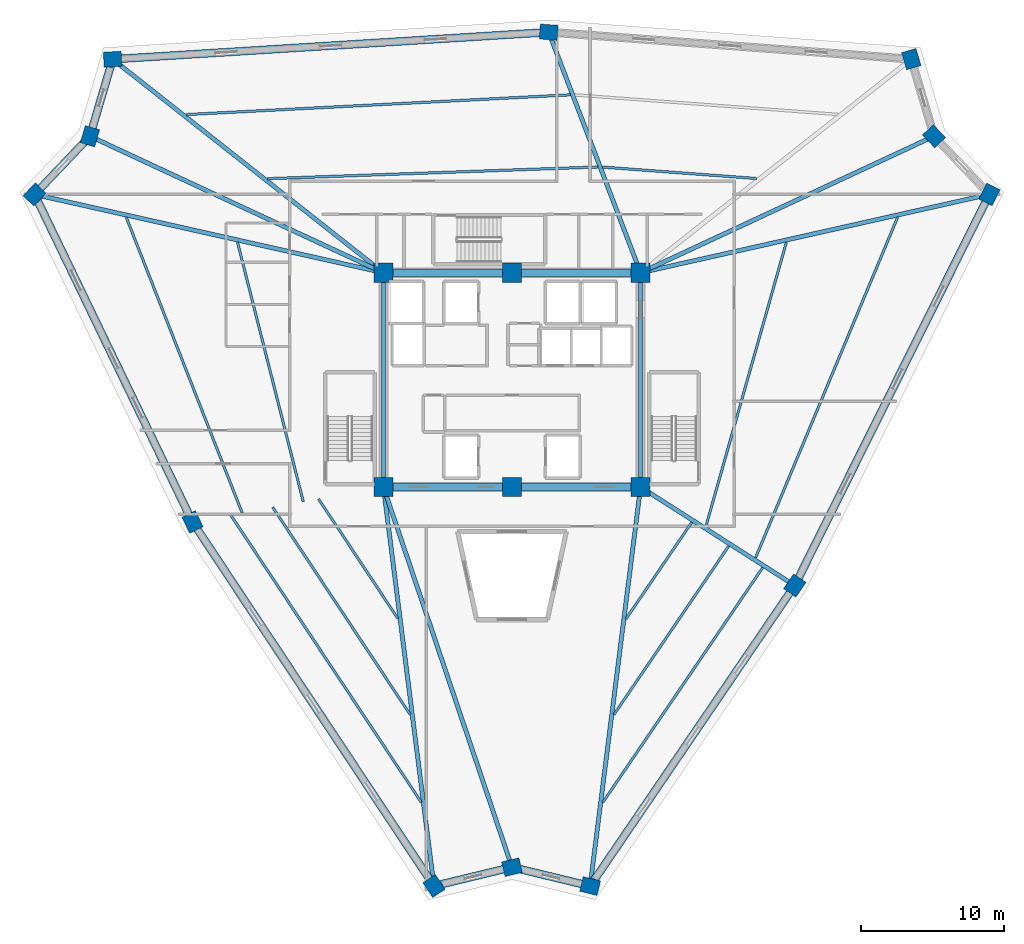
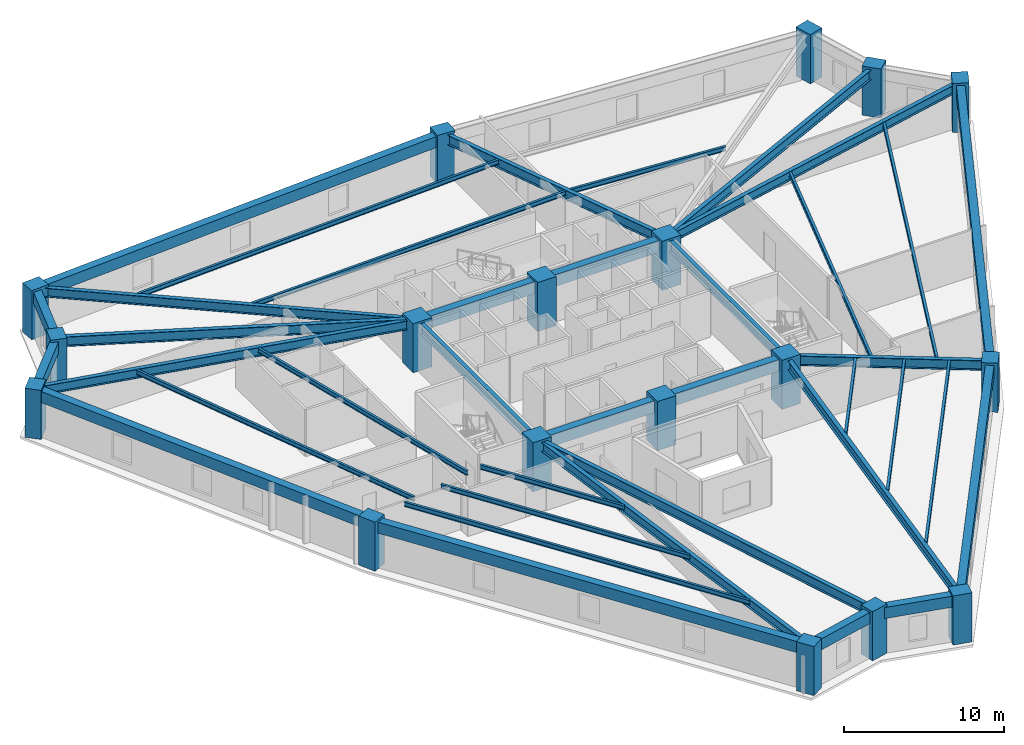
# One storey, part 1 of 8: 38 beams, 18 columns.
"""IFC4 building model written with IfcOpenShell, lengths in metres."""

from ifc_helpers import new_model, si_unit, direction, frame, origin, origin_2d, place, context, subcontext, project, spatial, rectangle, i_section, extrude, source, transform, mapped, material, material_profile, profile_set, type_object, element, save


model = new_model("IFC4")

# Units and contexts
model_context = context("Model", 3, precision=1e-05, world=origin(), true_north=direction((0.0, 1.0)))
body_context = subcontext(model_context, "Body", "Model", "MODEL_VIEW")
ifc_project = project(units=[si_unit("LENGTHUNIT", "METRE"), si_unit("AREAUNIT", "SQUARE_METRE"), si_unit("VOLUMEUNIT", "CUBIC_METRE"), si_unit("PLANEANGLEUNIT", "RADIAN"), si_unit("MASSUNIT", "GRAM", prefix="KILO")], contexts=[model_context])

# Site, building, storey
site_placement = place(None, origin())
site = spatial("IfcSite", under=ifc_project, at=site_placement, CompositionType="ELEMENT")
building_placement = place(site_placement, origin())
building = spatial("IfcBuilding", under=site, at=building_placement, Name="Liaohun Quay Tower", CompositionType="ELEMENT")
storey_placement = place(building_placement, frame((0.0, 0.0, 213.0)))
storey = spatial("IfcBuildingStorey", under=building, at=storey_placement, Name="L55", CompositionType="ELEMENT", Elevation=213.0)

# Columns
ifc_material_1 = material(Name="Concrete C55", Category="concrete")
ifc_material_profile_1 = material_profile(ifc_material_1, rectangle(XDim=1.35009765625, YDim=1.35009765625, at=origin_2d()), Name="RC1350x1350")
ifc_profile_set_1 = profile_set([ifc_material_profile_1], Name="Concrete C55")
column_type_1 = type_object("IfcColumnType", Name="COL-CC-Z3", PredefinedType="COLUMN", material=ifc_profile_set_1)
shared_shape_1 = source(origin(), body_context, "Body", "SweptSolid", [
    extrude(rectangle(XDim=1.35009765625, YDim=1.35009765625, at=origin_2d()), origin(), (0.0, 0.0, 1.0), 3.75),
])
for number, where, z_axis, x_axis, name in (
    (1, (51.0, 46.5, 0.0), (0.0, 0.0, 1.0), (1.0, 0.0, 0.0), "L55 Core Column CC1"),
    (2, (60.0, 46.5, 0.0), (0.0, 0.0, 1.0), (1.0, 0.0, 0.0), "L55 Core Column CC2"),
    (3, (69.0, 46.5, 0.0), (0.0, 0.0, 1.0), (1.0, 0.0, 0.0), "L55 Core Column CC3"),
    (4, (69.0, 61.5, 0.0), (0.0, 0.0, 1.0), (1.0, 0.0, 0.0), "L55 Core Column CC4"),
    (5, (60.0, 61.5, 0.0), (0.0, 0.0, 1.0), (1.0, 0.0, 0.0), "L55 Core Column CC5"),
    (6, (51.0, 61.5, 0.0), (0.0, 0.0, 1.0), (1.0, 0.0, 0.0), "L55 Core Column CC6"),
):
    element("IfcColumn", number, at=place(storey_placement, frame(where, z_axis=z_axis, x_axis=x_axis)), inside=storey, type_object=column_type_1, Name=name, PredefinedType="COLUMN", context=body_context, shape_type="MappedRepresentation", body=[
        mapped(shared_shape_1, transform((0.0, 0.0, 0.0), x_axis=(1.0, 0.0, 0.0), y_axis=(0.0, 1.0, 0.0), z_axis=(0.0, 0.0, 1.0), scale=1.0)),
    ])
ifc_material_profile_2 = material_profile(ifc_material_1, rectangle(XDim=1.25, YDim=1.050048828125, at=origin_2d()), Name="RC1250x1050")
ifc_profile_set_2 = profile_set([ifc_material_profile_2], Name="Concrete C55")
column_type_2 = type_object("IfcColumnType", Name="COL-PIER-Z3", PredefinedType="COLUMN", material=ifc_profile_set_2)
shared_shape_2 = source(origin(), body_context, "Body", "SweptSolid", [
    extrude(rectangle(XDim=1.25, YDim=1.050048828125, at=origin_2d()), origin(), (0.0, 0.0, 1.0), 3.75),
])
for number, where, z_axis, x_axis, name in (
    (7, (54.5380859375, 18.570068359375, 0.0), (0.0, 0.0, 1.0), (-0.552664477717, 0.833403848725, 0.0), "L55 Perimeter Pier PC01"),
    (8, (37.635986328125, 44.053955078125, 0.0), (0.0, 0.0, 1.0), (-0.434445257404, 0.900698239323, 0.0), "L55 Perimeter Pier PC02"),
    (9, (26.5810546875, 66.97998046875, 0.0), (0.0, 0.0, 1.0), (0.68936671806, 0.724412539946, 0.0), "L55 Perimeter Pier PC03"),
    (10, (30.458984375, 71.054931640625, 0.0), (0.0, 0.0, 1.0), (0.282676303383, 0.959215360337, 0.0), "L55 Perimeter Pier PC04"),
    (11, (32.048095703125, 76.445068359375, 0.0), (0.0, 0.0, 1.0), (0.998081143466, 0.061919553109, 0.0), "L55 Perimeter Pier PC05"),
    (12, (62.569091796875, 78.340087890625, 0.0), (0.0, 0.0, 1.0), (-0.997250185099, 0.074108490195, 0.0), "L55 Perimeter Pier PC06"),
    (13, (87.949951171875, 76.451904296875, 0.0), (0.0, 0.0, 1.0), (-0.282676303383, 0.959215360337, 0.0), "L55 Perimeter Pier PC07"),
    (14, (89.541015625, 71.054931640625, 0.0), (0.0, 0.0, 1.0), (-0.68936671806, 0.724412539946, 0.0), "L55 Perimeter Pier PC08"),
    (15, (93.4140625, 66.985107421875, 0.0), (0.0, 0.0, 1.0), (0.445416665749, 0.895323401835, 0.0), "L55 Perimeter Pier PC09"),
    (16, (79.794921875, 39.60498046875, 0.0), (0.0, 0.0, 1.0), (0.562804927695, 0.826589749127, 0.0), "L55 Perimeter Pier PC10"),
    (17, (65.468994140625, 18.568115234375, 0.0), (0.0, 0.0, 1.0), (-0.972043021443, 0.234802820391, 0.0), "L55 Perimeter Pier PC11"),
    (18, (60.0, 19.888916015625, 0.0), (0.0, 0.0, 1.0), (0.972043021443, 0.234802820391, 0.0), "L55 Perimeter Pier PC12"),
):
    element("IfcColumn", number, at=place(storey_placement, frame(where, z_axis=z_axis, x_axis=x_axis)), inside=storey, type_object=column_type_2, Name=name, PredefinedType="COLUMN", context=body_context, shape_type="MappedRepresentation", body=[
        mapped(shared_shape_2, transform((0.0, 0.0, 0.0), x_axis=(1.0, 0.0, 0.0), y_axis=(0.0, 1.0, 0.0), z_axis=(0.0, 0.0, 1.0), scale=1.0)),
    ])

# Beams
ifc_material_2 = material(Name="Steel Q355D", Category="steel")
ifc_material_profile_3 = material_profile(ifc_material_2, i_section(OverallWidth=0.300048828125, OverallDepth=0.800048828125, WebThickness=0.013916015625, FlangeThickness=0.02587890625, at=origin_2d()), Name="HN800x300x14x26")
ifc_profile_set_3 = profile_set([ifc_material_profile_3], Name="Steel Q355D")
beam_type_1 = type_object("IfcBeamType", Name="BM-RAD-M1", PredefinedType="BEAM", material=ifc_profile_set_3)
shared_shape_3 = source(origin(), body_context, "Body", "SweptSolid", [
    extrude(i_section(OverallWidth=0.300048828125, OverallDepth=0.800048828125, WebThickness=0.013916015625, FlangeThickness=0.02587890625, at=origin_2d()), origin(), (0.0, 0.0, 1.0), 15.0),
])
for number, where, z_axis, x_axis, name in (
    (19, (69.0, 46.5, 3.169921875), (0.0, 1.0, 0.0), (-1.0, 0.0, 0.0), "L55 Core Coupling/Ring Beam CC3-CC4"),
    (20, (51.0, 61.5, 3.169921875), (0.0, -1.0, 0.0), (1.0, 0.0, 0.0), "L55 Core Coupling/Ring Beam CC6-CC1"),
):
    element("IfcBeam", number, at=place(storey_placement, frame(where, z_axis=z_axis, x_axis=x_axis)), inside=storey, type_object=beam_type_1, Name=name, PredefinedType="BEAM", context=body_context, shape_type="MappedRepresentation", body=[
        mapped(shared_shape_3, transform((0.0, 0.0, 0.0), x_axis=(1.0, 0.0, 0.0), y_axis=(0.0, 1.0, 0.0), z_axis=(0.0, 0.0, 1.0), scale=1.0)),
    ])
ifc_material_profile_4 = material_profile(ifc_material_1, rectangle(XDim=0.550048828125, YDim=0.89990234375, at=origin_2d()), Name="RC550x900")
ifc_profile_set_4 = profile_set([ifc_material_profile_4], Name="Concrete C55")
beam_type_2 = type_object("IfcBeamType", Name="BM-CPL-2", PredefinedType="LINTEL", material=ifc_profile_set_4)
shared_shape_4 = source(origin(), body_context, "Body", "SweptSolid", [
    extrude(rectangle(XDim=0.550048828125, YDim=0.89990234375, at=origin_2d()), origin(), (0.0, 0.0, 1.0), 9.0),
])
for number, where, z_axis, x_axis, name in (
    (21, (51.0, 46.5, 3.1201171875), (1.0, 0.0, 0.0), (0.0, 1.0, 0.0), "L55 Core Coupling/Ring Beam CC1-CC2"),
    (22, (60.0, 46.5, 3.1201171875), (1.0, 0.0, 0.0), (0.0, 1.0, 0.0), "L55 Core Coupling/Ring Beam CC2-CC3"),
    (23, (69.0, 61.5, 3.1201171875), (-1.0, 0.0, 0.0), (0.0, -1.0, 0.0), "L55 Core Coupling/Ring Beam CC4-CC5"),
    (24, (60.0, 61.5, 3.1201171875), (-1.0, 0.0, 0.0), (0.0, -1.0, 0.0), "L55 Core Coupling/Ring Beam CC5-CC6"),
):
    element("IfcBeam", number, at=place(storey_placement, frame(where, z_axis=z_axis, x_axis=x_axis)), inside=storey, type_object=beam_type_2, Name=name, PredefinedType="LINTEL", context=body_context, shape_type="MappedRepresentation", body=[
        mapped(shared_shape_4, transform((0.0, 0.0, 0.0), x_axis=(1.0, 0.0, 0.0), y_axis=(0.0, 1.0, 0.0), z_axis=(0.0, 0.0, 1.0), scale=1.0)),
    ])
ifc_material_profile_5 = material_profile(ifc_material_2, i_section(OverallWidth=0.300048828125, OverallDepth=0.699951171875, WebThickness=0.012939453125, FlangeThickness=0.02392578125, at=origin_2d()), Name="HN700x300x13x24")
ifc_profile_set_5 = profile_set([ifc_material_profile_5], Name="Steel Q355D")
beam_type_3 = type_object("IfcBeamType", Name="BM-RAD-U1", PredefinedType="BEAM", material=ifc_profile_set_5)
shared_shape_5 = source(origin(), body_context, "Body", "SweptSolid", [
    extrude(i_section(OverallWidth=0.300048828125, OverallDepth=0.699951171875, WebThickness=0.012939453125, FlangeThickness=0.02392578125, at=origin_2d()), origin(), (0.0, 0.0, 1.0), 28.153076171875),
])
beam_1_placement = place(storey_placement, frame((51.0, 46.5, 3.219970703125), z_axis=(0.125672883765, -0.992071734446, 0.0), x_axis=(0.992071734446, 0.125672883765, 0.0)))
element("IfcBeam", 25, at=beam_1_placement, inside=storey, type_object=beam_type_3, Name="L55 Radial Primary Girder CC1-PC01", PredefinedType="BEAM", context=body_context, shape_type="MappedRepresentation", body=[
    mapped(shared_shape_5, transform((0.0, 0.0, 0.0), x_axis=(1.0, 0.0, 0.0), y_axis=(0.0, 1.0, 0.0), z_axis=(0.0, 0.0, 1.0), scale=1.0)),
])
shared_shape_6 = source(origin(), body_context, "Body", "SweptSolid", [
    extrude(i_section(OverallWidth=0.300048828125, OverallDepth=0.699951171875, WebThickness=0.012939453125, FlangeThickness=0.02392578125, at=origin_2d()), origin(), (0.0, 0.0, 1.0), 25.0263671875),
])
beam_2_placement = place(storey_placement, frame((51.0, 61.5, 3.219970703125), z_axis=(-0.975731822628, 0.218968971113, 0.0), x_axis=(-0.218968971113, -0.975731822628, 0.0)))
element("IfcBeam", 26, at=beam_2_placement, inside=storey, type_object=beam_type_3, Name="L55 Radial Primary Girder CC6-PC03", PredefinedType="BEAM", context=body_context, shape_type="MappedRepresentation", body=[
    mapped(shared_shape_6, transform((0.0, 0.0, 0.0), x_axis=(1.0, 0.0, 0.0), y_axis=(0.0, 1.0, 0.0), z_axis=(0.0, 0.0, 1.0), scale=1.0)),
])
ifc_material_profile_6 = material_profile(ifc_material_2, i_section(OverallWidth=0.300048828125, OverallDepth=0.75, WebThickness=0.013916015625, FlangeThickness=0.02587890625, at=origin_2d()), Name="HN750x300x14x26")
ifc_profile_set_6 = profile_set([ifc_material_profile_6], Name="Steel Q355D")
beam_type_4 = type_object("IfcBeamType", Name="BM-RAD-M2", PredefinedType="BEAM", material=ifc_profile_set_6)
shared_shape_7 = source(origin(), body_context, "Body", "SweptSolid", [
    extrude(i_section(OverallWidth=0.300048828125, OverallDepth=0.75, WebThickness=0.013916015625, FlangeThickness=0.02587890625, at=origin_2d()), origin(), (0.0, 0.0, 1.0), 22.654541015625),
])
for number, where, z_axis, x_axis, name in (
    (27, (51.0, 61.5, 3.195068359375), (-0.906704723403, 0.421765983168, 0.0), (-0.421765983168, -0.906704723403, 0.0), "L55 Radial Primary Girder CC6-PC04"),
    (28, (69.0, 61.5, 3.195068359375), (0.906704723403, 0.421765983168, 0.0), (-0.421765983168, 0.906704723403, 0.0), "L55 Radial Primary Girder CC4-PC08"),
):
    element("IfcBeam", number, at=place(storey_placement, frame(where, z_axis=z_axis, x_axis=x_axis)), inside=storey, type_object=beam_type_4, Name=name, PredefinedType="BEAM", context=body_context, shape_type="MappedRepresentation", body=[
        mapped(shared_shape_7, transform((0.0, 0.0, 0.0), x_axis=(1.0, 0.0, 0.0), y_axis=(0.0, 1.0, 0.0), z_axis=(0.0, 0.0, 1.0), scale=1.0)),
    ])
shared_shape_8 = source(origin(), body_context, "Body", "SweptSolid", [
    extrude(i_section(OverallWidth=0.300048828125, OverallDepth=0.699951171875, WebThickness=0.012939453125, FlangeThickness=0.02392578125, at=origin_2d()), origin(), (0.0, 0.0, 1.0), 24.1357421875),
])
beam_3_placement = place(storey_placement, frame((51.0, 61.5, 3.219970703125), z_axis=(-0.785224427655, 0.619211271064, 0.0), x_axis=(-0.619211271064, -0.785224427655, 0.0)))
element("IfcBeam", 29, at=beam_3_placement, inside=storey, type_object=beam_type_3, Name="L55 Radial Primary Girder CC6-PC05", PredefinedType="BEAM", context=body_context, shape_type="MappedRepresentation", body=[
    mapped(shared_shape_8, transform((0.0, 0.0, 0.0), x_axis=(1.0, 0.0, 0.0), y_axis=(0.0, 1.0, 0.0), z_axis=(0.0, 0.0, 1.0), scale=1.0)),
])
shared_shape_9 = source(origin(), body_context, "Body", "SweptSolid", [
    extrude(i_section(OverallWidth=0.300048828125, OverallDepth=0.75, WebThickness=0.013916015625, FlangeThickness=0.02587890625, at=origin_2d()), origin(), (0.0, 0.0, 1.0), 18.026123046875),
])
beam_4_placement = place(storey_placement, frame((69.0, 61.5, 3.195068359375), z_axis=(-0.356752715154, 0.934198854758, 0.0), x_axis=(-0.934198854758, -0.356752715154, 0.0)))
element("IfcBeam", 30, at=beam_4_placement, inside=storey, type_object=beam_type_4, Name="L55 Radial Primary Girder CC4-PC06", PredefinedType="BEAM", context=body_context, shape_type="MappedRepresentation", body=[
    mapped(shared_shape_9, transform((0.0, 0.0, 0.0), x_axis=(1.0, 0.0, 0.0), y_axis=(0.0, 1.0, 0.0), z_axis=(0.0, 0.0, 1.0), scale=1.0)),
])
shared_shape_10 = source(origin(), body_context, "Body", "SweptSolid", [
    extrude(i_section(OverallWidth=0.300048828125, OverallDepth=0.699951171875, WebThickness=0.012939453125, FlangeThickness=0.02392578125, at=origin_2d()), origin(), (0.0, 0.0, 1.0), 25.022705078125),
])
beam_5_placement = place(storey_placement, frame((69.0, 61.5, 3.219970703125), z_axis=(0.975678661341, 0.219205724843, 0.0), x_axis=(-0.219205724843, 0.975678661341, 0.0)))
element("IfcBeam", 31, at=beam_5_placement, inside=storey, type_object=beam_type_3, Name="L55 Radial Primary Girder CC4-PC09", PredefinedType="BEAM", context=body_context, shape_type="MappedRepresentation", body=[
    mapped(shared_shape_10, transform((0.0, 0.0, 0.0), x_axis=(1.0, 0.0, 0.0), y_axis=(0.0, 1.0, 0.0), z_axis=(0.0, 0.0, 1.0), scale=1.0)),
])
shared_shape_11 = source(origin(), body_context, "Body", "SweptSolid", [
    extrude(i_section(OverallWidth=0.300048828125, OverallDepth=0.75, WebThickness=0.013916015625, FlangeThickness=0.02587890625, at=origin_2d()), origin(), (0.0, 0.0, 1.0), 12.80908203125),
])
beam_6_placement = place(storey_placement, frame((69.0, 46.5, 3.195068359375), z_axis=(0.842757747677, -0.538293023111, 0.0), x_axis=(0.538293023111, 0.842757747677, 0.0)))
element("IfcBeam", 32, at=beam_6_placement, inside=storey, type_object=beam_type_4, Name="L55 Radial Primary Girder CC3-PC10", PredefinedType="BEAM", context=body_context, shape_type="MappedRepresentation", body=[
    mapped(shared_shape_11, transform((0.0, 0.0, 0.0), x_axis=(1.0, 0.0, 0.0), y_axis=(0.0, 1.0, 0.0), z_axis=(0.0, 0.0, 1.0), scale=1.0)),
])
shared_shape_12 = source(origin(), body_context, "Body", "SweptSolid", [
    extrude(i_section(OverallWidth=0.300048828125, OverallDepth=0.699951171875, WebThickness=0.012939453125, FlangeThickness=0.02392578125, at=origin_2d()), origin(), (0.0, 0.0, 1.0), 28.154296875),
])
beam_7_placement = place(storey_placement, frame((69.0, 46.5, 3.219970703125), z_axis=(-0.125416727027, -0.992104150068, 0.0), x_axis=(0.992104150068, -0.125416727027, 0.0)))
element("IfcBeam", 33, at=beam_7_placement, inside=storey, type_object=beam_type_3, Name="L55 Radial Primary Girder CC3-PC11", PredefinedType="BEAM", context=body_context, shape_type="MappedRepresentation", body=[
    mapped(shared_shape_12, transform((0.0, 0.0, 0.0), x_axis=(1.0, 0.0, 0.0), y_axis=(0.0, 1.0, 0.0), z_axis=(0.0, 0.0, 1.0), scale=1.0)),
])
shared_shape_13 = source(origin(), body_context, "Body", "SweptSolid", [
    extrude(i_section(OverallWidth=0.300048828125, OverallDepth=0.75, WebThickness=0.013916015625, FlangeThickness=0.02587890625, at=origin_2d()), origin(), (0.0, 0.0, 1.0), 28.091796875),
])
beam_8_placement = place(storey_placement, frame((51.0, 46.5, 3.195068359375), z_axis=(0.320378074251, -0.947289760073, 0.0), x_axis=(0.947289760073, 0.320378074251, 0.0)))
element("IfcBeam", 34, at=beam_8_placement, inside=storey, type_object=beam_type_4, Name="L55 Radial Primary Girder CC1-PC12", PredefinedType="BEAM", context=body_context, shape_type="MappedRepresentation", body=[
    mapped(shared_shape_13, transform((0.0, 0.0, 0.0), x_axis=(1.0, 0.0, 0.0), y_axis=(0.0, 1.0, 0.0), z_axis=(0.0, 0.0, 1.0), scale=1.0)),
])
ifc_material_profile_7 = material_profile(ifc_material_2, i_section(OverallWidth=0.175048828125, OverallDepth=0.35009765625, WebThickness=0.007080078125, FlangeThickness=0.010986328125, at=origin_2d()), Name="HN350x175x7x11")
ifc_profile_set_7 = profile_set([ifc_material_profile_7], Name="Steel Q355D")
beam_type_5 = type_object("IfcBeamType", Name="BM-SEC-J3", PredefinedType="JOIST", material=ifc_profile_set_7)
shared_shape_14 = source(origin(), body_context, "Body", "SweptSolid", [
    extrude(i_section(OverallWidth=0.175048828125, OverallDepth=0.35009765625, WebThickness=0.007080078125, FlangeThickness=0.010986328125, at=origin_2d()), origin(), (0.0, 0.0, 1.0), 10.05859375),
])
beam_9_placement = place(storey_placement, frame((52.01611328125, 37.285888671875, 3.39501953125), z_axis=(-0.552771880767, 0.833332615367, 0.0), x_axis=(-0.833332615367, -0.552771880767, 0.0)))
element("IfcBeam", 35, at=beam_9_placement, inside=storey, type_object=beam_type_5, Name="L55 Wing Secondary Floor Joist SJ-01", PredefinedType="JOIST", context=body_context, shape_type="MappedRepresentation", body=[
    mapped(shared_shape_14, transform((0.0, 0.0, 0.0), x_axis=(1.0, 0.0, 0.0), y_axis=(0.0, 1.0, 0.0), z_axis=(0.0, 0.0, 1.0), scale=1.0)),
])
shared_shape_15 = source(origin(), body_context, "Body", "SweptSolid", [
    extrude(i_section(OverallWidth=0.175048828125, OverallDepth=0.35009765625, WebThickness=0.007080078125, FlangeThickness=0.010986328125, at=origin_2d()), origin(), (0.0, 0.0, 1.0), 17.39794921875),
])
beam_10_placement = place(storey_placement, frame((52.864990234375, 30.58203125, 3.39501953125), z_axis=(-0.55270703937, 0.833375622772, 0.0), x_axis=(-0.833375622772, -0.55270703937, 0.0)))
element("IfcBeam", 36, at=beam_10_placement, inside=storey, type_object=beam_type_5, Name="L55 Wing Secondary Floor Joist SJ-02", PredefinedType="JOIST", context=body_context, shape_type="MappedRepresentation", body=[
    mapped(shared_shape_15, transform((0.0, 0.0, 0.0), x_axis=(1.0, 0.0, 0.0), y_axis=(0.0, 1.0, 0.0), z_axis=(0.0, 0.0, 1.0), scale=1.0)),
])
shared_shape_16 = source(origin(), body_context, "Body", "SweptSolid", [
    extrude(i_section(OverallWidth=0.175048828125, OverallDepth=0.35009765625, WebThickness=0.007080078125, FlangeThickness=0.010986328125, at=origin_2d()), origin(), (0.0, 0.0, 1.0), 24.125244140625),
])
beam_11_placement = place(storey_placement, frame((53.64404296875, 24.43798828125, 3.39501953125), z_axis=(-0.552736993303, 0.833355756106, 0.0), x_axis=(-0.833355756106, -0.552736993303, 0.0)))
element("IfcBeam", 37, at=beam_11_placement, inside=storey, type_object=beam_type_5, Name="L55 Wing Secondary Floor Joist SJ-03", PredefinedType="JOIST", context=body_context, shape_type="MappedRepresentation", body=[
    mapped(shared_shape_16, transform((0.0, 0.0, 0.0), x_axis=(1.0, 0.0, 0.0), y_axis=(0.0, 1.0, 0.0), z_axis=(0.0, 0.0, 1.0), scale=1.0)),
])
shared_shape_17 = source(origin(), body_context, "Body", "SweptSolid", [
    extrude(i_section(OverallWidth=0.175048828125, OverallDepth=0.35009765625, WebThickness=0.007080078125, FlangeThickness=0.010986328125, at=origin_2d()), origin(), (0.0, 0.0, 1.0), 18.739990234375),
])
beam_12_placement = place(storey_placement, frame((45.386962890625, 45.472900390625, 3.39501953125), z_axis=(-0.245575291012, 0.969377520084, 0.0), x_axis=(-0.969377520084, -0.245575291012, 0.0)))
element("IfcBeam", 38, at=beam_12_placement, inside=storey, type_object=beam_type_5, Name="L55 Wing Secondary Floor Joist SJ-04", PredefinedType="JOIST", context=body_context, shape_type="MappedRepresentation", body=[
    mapped(shared_shape_17, transform((0.0, 0.0, 0.0), x_axis=(1.0, 0.0, 0.0), y_axis=(0.0, 1.0, 0.0), z_axis=(0.0, 0.0, 1.0), scale=1.0)),
])
shared_shape_18 = source(origin(), body_context, "Body", "SweptSolid", [
    extrude(i_section(OverallWidth=0.175048828125, OverallDepth=0.35009765625, WebThickness=0.007080078125, FlangeThickness=0.010986328125, at=origin_2d()), origin(), (0.0, 0.0, 1.0), 22.23095703125),
])
beam_13_placement = place(storey_placement, frame((41.111083984375, 44.68994140625, 3.39501953125), z_axis=(-0.365029485815, 0.930995958362, 0.0), x_axis=(-0.930995958362, -0.365029485815, 0.0)))
element("IfcBeam", 39, at=beam_13_placement, inside=storey, type_object=beam_type_5, Name="L55 Wing Secondary Floor Joist SJ-05", PredefinedType="JOIST", context=body_context, shape_type="MappedRepresentation", body=[
    mapped(shared_shape_18, transform((0.0, 0.0, 0.0), x_axis=(1.0, 0.0, 0.0), y_axis=(0.0, 1.0, 0.0), z_axis=(0.0, 0.0, 1.0), scale=1.0)),
])
shared_shape_19 = source(origin(), body_context, "Body", "SweptSolid", [
    extrude(i_section(OverallWidth=0.175048828125, OverallDepth=0.35009765625, WebThickness=0.007080078125, FlangeThickness=0.010986328125, at=origin_2d()), origin(), (0.0, 0.0, 1.0), 23.133544921875),
])
beam_14_placement = place(storey_placement, frame((42.89306640625, 68.083984375, 3.39501953125), z_axis=(0.999371469562, 0.035449482721, 0.0), x_axis=(-0.035449482721, 0.999371469562, 0.0)))
element("IfcBeam", 40, at=beam_14_placement, inside=storey, type_object=beam_type_5, Name="L55 Wing Secondary Floor Joist SJ-06", PredefinedType="JOIST", context=body_context, shape_type="MappedRepresentation", body=[
    mapped(shared_shape_19, transform((0.0, 0.0, 0.0), x_axis=(1.0, 0.0, 0.0), y_axis=(0.0, 1.0, 0.0), z_axis=(0.0, 0.0, 1.0), scale=1.0)),
])
shared_shape_20 = source(origin(), body_context, "Body", "SweptSolid", [
    extrude(i_section(OverallWidth=0.175048828125, OverallDepth=0.35009765625, WebThickness=0.007080078125, FlangeThickness=0.010986328125, at=origin_2d()), origin(), (0.0, 0.0, 1.0), 26.916748046875),
])
beam_15_placement = place(storey_placement, frame((37.202880859375, 72.571044921875, 3.39501953125), z_axis=(0.998679025152, 0.05138292246, 0.0), x_axis=(-0.05138292246, 0.998679025152, 0.0)))
element("IfcBeam", 41, at=beam_15_placement, inside=storey, type_object=beam_type_5, Name="L55 Wing Secondary Floor Joist SJ-07", PredefinedType="JOIST", context=body_context, shape_type="MappedRepresentation", body=[
    mapped(shared_shape_20, transform((0.0, 0.0, 0.0), x_axis=(1.0, 0.0, 0.0), y_axis=(0.0, 1.0, 0.0), z_axis=(0.0, 0.0, 1.0), scale=1.0)),
])
shared_shape_21 = source(origin(), body_context, "Body", "SweptSolid", [
    extrude(i_section(OverallWidth=0.175048828125, OverallDepth=0.35009765625, WebThickness=0.007080078125, FlangeThickness=0.010986328125, at=origin_2d()), origin(), (0.0, 0.0, 1.0), 10.810791015625),
])
beam_16_placement = place(storey_placement, frame((66.3359375, 68.89697265625, 3.39501953125), z_axis=(0.997244475117, -0.074185287275, 0.0), x_axis=(0.074185287275, 0.997244475117, 0.0)))
element("IfcBeam", 42, at=beam_16_placement, inside=storey, type_object=beam_type_5, Name="L55 Wing Secondary Floor Joist SJ-08", PredefinedType="JOIST", context=body_context, shape_type="MappedRepresentation", body=[
    mapped(shared_shape_21, transform((0.0, 0.0, 0.0), x_axis=(1.0, 0.0, 0.0), y_axis=(0.0, 1.0, 0.0), z_axis=(0.0, 0.0, 1.0), scale=1.0)),
])
shared_shape_22 = source(origin(), body_context, "Body", "SweptSolid", [
    extrude(i_section(OverallWidth=0.175048828125, OverallDepth=0.35009765625, WebThickness=0.007080078125, FlangeThickness=0.010986328125, at=origin_2d()), origin(), (0.0, 0.0, 1.0), 20.666748046875),
])
beam_17_placement = place(storey_placement, frame((79.20703125, 63.639892578125, 3.39501953125), z_axis=(-0.272425232465, -0.962176954991, 0.0), x_axis=(0.962176954991, -0.272425232465, 0.0)))
element("IfcBeam", 43, at=beam_17_placement, inside=storey, type_object=beam_type_5, Name="L55 Wing Secondary Floor Joist SJ-10", PredefinedType="JOIST", context=body_context, shape_type="MappedRepresentation", body=[
    mapped(shared_shape_22, transform((0.0, 0.0, 0.0), x_axis=(1.0, 0.0, 0.0), y_axis=(0.0, 1.0, 0.0), z_axis=(0.0, 0.0, 1.0), scale=1.0)),
])
shared_shape_23 = source(origin(), body_context, "Body", "SweptSolid", [
    extrude(i_section(OverallWidth=0.175048828125, OverallDepth=0.35009765625, WebThickness=0.007080078125, FlangeThickness=0.010986328125, at=origin_2d()), origin(), (0.0, 0.0, 1.0), 25.8427734375),
])
beam_18_placement = place(storey_placement, frame((86.99609375, 65.388916015625, 3.39501953125), z_axis=(-0.384982285177, -0.922923962253, 0.0), x_axis=(0.922923962253, -0.384982285177, 0.0)))
element("IfcBeam", 44, at=beam_18_placement, inside=storey, type_object=beam_type_5, Name="L55 Wing Secondary Floor Joist SJ-11", PredefinedType="JOIST", context=body_context, shape_type="MappedRepresentation", body=[
    mapped(shared_shape_23, transform((0.0, 0.0, 0.0), x_axis=(1.0, 0.0, 0.0), y_axis=(0.0, 1.0, 0.0), z_axis=(0.0, 0.0, 1.0), scale=1.0)),
])
shared_shape_24 = source(origin(), body_context, "Body", "SweptSolid", [
    extrude(i_section(OverallWidth=0.175048828125, OverallDepth=0.35009765625, WebThickness=0.007080078125, FlangeThickness=0.010986328125, at=origin_2d()), origin(), (0.0, 0.0, 1.0), 8.173828125),
])
beam_19_placement = place(storey_placement, frame((72.5859375, 44.031982421875, 3.39501953125), z_axis=(-0.562868698773, -0.826546325345, 0.0), x_axis=(0.826546325345, -0.562868698773, 0.0)))
element("IfcBeam", 45, at=beam_19_placement, inside=storey, type_object=beam_type_5, Name="L55 Wing Secondary Floor Joist SJ-12", PredefinedType="JOIST", context=body_context, shape_type="MappedRepresentation", body=[
    mapped(shared_shape_24, transform((0.0, 0.0, 0.0), x_axis=(1.0, 0.0, 0.0), y_axis=(0.0, 1.0, 0.0), z_axis=(0.0, 0.0, 1.0), scale=1.0)),
])
shared_shape_25 = source(origin(), body_context, "Body", "SweptSolid", [
    extrude(i_section(OverallWidth=0.175048828125, OverallDepth=0.35009765625, WebThickness=0.007080078125, FlangeThickness=0.010986328125, at=origin_2d()), origin(), (0.0, 0.0, 1.0), 14.2822265625),
])
beam_20_placement = place(storey_placement, frame((75.177001953125, 42.376953125, 3.39501953125), z_axis=(-0.562870496106, -0.826545101379, 0.0), x_axis=(0.826545101379, -0.562870496106, 0.0)))
element("IfcBeam", 46, at=beam_20_placement, inside=storey, type_object=beam_type_5, Name="L55 Wing Secondary Floor Joist SJ-13", PredefinedType="JOIST", context=body_context, shape_type="MappedRepresentation", body=[
    mapped(shared_shape_25, transform((0.0, 0.0, 0.0), x_axis=(1.0, 0.0, 0.0), y_axis=(0.0, 1.0, 0.0), z_axis=(0.0, 0.0, 1.0), scale=1.0)),
])
shared_shape_26 = source(origin(), body_context, "Body", "SweptSolid", [
    extrude(i_section(OverallWidth=0.175048828125, OverallDepth=0.35009765625, WebThickness=0.007080078125, FlangeThickness=0.010986328125, at=origin_2d()), origin(), (0.0, 0.0, 1.0), 19.8818359375),
])
beam_21_placement = place(storey_placement, frame((77.552001953125, 40.860107421875, 3.39501953125), z_axis=(-0.562874162814, -0.826542604368, 0.0), x_axis=(0.826542604368, -0.562874162814, 0.0)))
element("IfcBeam", 47, at=beam_21_placement, inside=storey, type_object=beam_type_5, Name="L55 Wing Secondary Floor Joist SJ-14", PredefinedType="JOIST", context=body_context, shape_type="MappedRepresentation", body=[
    mapped(shared_shape_26, transform((0.0, 0.0, 0.0), x_axis=(1.0, 0.0, 0.0), y_axis=(0.0, 1.0, 0.0), z_axis=(0.0, 0.0, 1.0), scale=1.0)),
])
ifc_material_3 = material(Name="Precast concrete C50", Category="concrete")
ifc_material_profile_8 = material_profile(ifc_material_3, rectangle(XDim=0.550048828125, YDim=0.85009765625, at=origin_2d()), Name="RC550x850")
ifc_profile_set_8 = profile_set([ifc_material_profile_8], Name="Precast concrete C50")
beam_type_6 = type_object("IfcBeamType", Name="BM-SPD-Z3", PredefinedType="SPANDREL", material=ifc_profile_set_8)
shared_shape_27 = source(origin(), body_context, "Body", "SweptSolid", [
    extrude(rectangle(XDim=0.550048828125, YDim=0.85009765625, at=origin_2d()), origin(), (0.0, 0.0, 1.0), 30.57958984375),
])
beam_22_placement = place(storey_placement, frame((54.5380859375, 18.570068359375, 3.14501953125), z_axis=(-0.55272541323, 0.833363436665, 0.0), x_axis=(-0.833363436665, -0.55272541323, 0.0)))
element("IfcBeam", 48, at=beam_22_placement, inside=storey, type_object=beam_type_6, Name="L55 Precast Spandrel Beam PC01-PC02", PredefinedType="SPANDREL", context=body_context, shape_type="MappedRepresentation", body=[
    mapped(shared_shape_27, transform((0.0, 0.0, 0.0), x_axis=(1.0, 0.0, 0.0), y_axis=(0.0, 1.0, 0.0), z_axis=(0.0, 0.0, 1.0), scale=1.0)),
])
shared_shape_28 = source(origin(), body_context, "Body", "SweptSolid", [
    extrude(rectangle(XDim=0.550048828125, YDim=0.85009765625, at=origin_2d()), origin(), (0.0, 0.0, 1.0), 25.4521484375),
])
beam_23_placement = place(storey_placement, frame((37.635986328125, 44.053955078125, 3.14501953125), z_axis=(-0.434341018273, 0.900748510876, 0.0), x_axis=(-0.900748510876, -0.434341018273, 0.0)))
element("IfcBeam", 49, at=beam_23_placement, inside=storey, type_object=beam_type_6, Name="L55 Precast Spandrel Beam PC02-PC03", PredefinedType="SPANDREL", context=body_context, shape_type="MappedRepresentation", body=[
    mapped(shared_shape_28, transform((0.0, 0.0, 0.0), x_axis=(1.0, 0.0, 0.0), y_axis=(0.0, 1.0, 0.0), z_axis=(0.0, 0.0, 1.0), scale=1.0)),
])
shared_shape_29 = source(origin(), body_context, "Body", "SweptSolid", [
    extrude(rectangle(XDim=0.550048828125, YDim=0.85009765625, at=origin_2d()), origin(), (0.0, 0.0, 1.0), 5.625244140625),
])
beam_24_placement = place(storey_placement, frame((26.5810546875, 66.97998046875, 3.14501953125), z_axis=(0.689377687208, 0.724402101308, 0.0), x_axis=(-0.724402101308, 0.689377687208, 0.0)))
element("IfcBeam", 50, at=beam_24_placement, inside=storey, type_object=beam_type_6, Name="L55 Precast Spandrel Beam PC03-PC04", PredefinedType="SPANDREL", context=body_context, shape_type="MappedRepresentation", body=[
    mapped(shared_shape_29, transform((0.0, 0.0, 0.0), x_axis=(1.0, 0.0, 0.0), y_axis=(0.0, 1.0, 0.0), z_axis=(0.0, 0.0, 1.0), scale=1.0)),
])
shared_shape_30 = source(origin(), body_context, "Body", "SweptSolid", [
    extrude(rectangle(XDim=0.550048828125, YDim=0.85009765625, at=origin_2d()), origin(), (0.0, 0.0, 1.0), 5.619384765625),
])
beam_25_placement = place(storey_placement, frame((30.458984375, 71.054931640625, 3.14501953125), z_axis=(0.28278487532, 0.959183358014, 0.0), x_axis=(-0.959183358014, 0.28278487532, 0.0)))
element("IfcBeam", 51, at=beam_25_placement, inside=storey, type_object=beam_type_6, Name="L55 Precast Spandrel Beam PC04-PC05", PredefinedType="SPANDREL", context=body_context, shape_type="MappedRepresentation", body=[
    mapped(shared_shape_30, transform((0.0, 0.0, 0.0), x_axis=(1.0, 0.0, 0.0), y_axis=(0.0, 1.0, 0.0), z_axis=(0.0, 0.0, 1.0), scale=1.0)),
])
shared_shape_31 = source(origin(), body_context, "Body", "SweptSolid", [
    extrude(rectangle(XDim=0.550048828125, YDim=0.85009765625, at=origin_2d()), origin(), (0.0, 0.0, 1.0), 30.579833984375),
])
beam_26_placement = place(storey_placement, frame((32.048095703125, 76.445068359375, 3.14501953125), z_axis=(0.998078030366, 0.061969712766, 0.0), x_axis=(-0.061969712766, 0.998078030366, 0.0)))
element("IfcBeam", 52, at=beam_26_placement, inside=storey, type_object=beam_type_6, Name="L55 Precast Spandrel Beam PC05-PC06", PredefinedType="SPANDREL", context=body_context, shape_type="MappedRepresentation", body=[
    mapped(shared_shape_31, transform((0.0, 0.0, 0.0), x_axis=(1.0, 0.0, 0.0), y_axis=(0.0, 1.0, 0.0), z_axis=(0.0, 0.0, 1.0), scale=1.0)),
])
shared_shape_32 = source(origin(), body_context, "Body", "SweptSolid", [
    extrude(rectangle(XDim=0.550048828125, YDim=0.85009765625, at=origin_2d()), origin(), (0.0, 0.0, 1.0), 30.580322265625),
])
beam_27_placement = place(storey_placement, frame((93.4140625, 66.985107421875, 3.14501953125), z_axis=(-0.445357244235, -0.895352961132, 0.0), x_axis=(0.895352961132, -0.445357244235, 0.0)))
element("IfcBeam", 53, at=beam_27_placement, inside=storey, type_object=beam_type_6, Name="L55 Precast Spandrel Beam PC09-PC10", PredefinedType="SPANDREL", context=body_context, shape_type="MappedRepresentation", body=[
    mapped(shared_shape_32, transform((0.0, 0.0, 0.0), x_axis=(1.0, 0.0, 0.0), y_axis=(0.0, 1.0, 0.0), z_axis=(0.0, 0.0, 1.0), scale=1.0)),
])
shared_shape_33 = source(origin(), body_context, "Body", "SweptSolid", [
    extrude(rectangle(XDim=0.550048828125, YDim=0.85009765625, at=origin_2d()), origin(), (0.0, 0.0, 1.0), 25.45166015625),
])
beam_28_placement = place(storey_placement, frame((79.794921875, 39.60498046875, 3.14501953125), z_axis=(-0.562870321408, -0.826545220347, 0.0), x_axis=(0.826545220347, -0.562870321408, 0.0)))
element("IfcBeam", 54, at=beam_28_placement, inside=storey, type_object=beam_type_6, Name="L55 Precast Spandrel Beam PC10-PC11", PredefinedType="SPANDREL", context=body_context, shape_type="MappedRepresentation", body=[
    mapped(shared_shape_33, transform((0.0, 0.0, 0.0), x_axis=(1.0, 0.0, 0.0), y_axis=(0.0, 1.0, 0.0), z_axis=(0.0, 0.0, 1.0), scale=1.0)),
])
shared_shape_34 = source(origin(), body_context, "Body", "SweptSolid", [
    extrude(rectangle(XDim=0.550048828125, YDim=0.85009765625, at=origin_2d()), origin(), (0.0, 0.0, 1.0), 5.626220703125),
])
beam_29_placement = place(storey_placement, frame((65.468994140625, 18.568115234375, 3.14501953125), z_axis=(-0.972053873937, 0.234757888398, 0.0), x_axis=(-0.234757888398, -0.972053873937, 0.0)))
element("IfcBeam", 55, at=beam_29_placement, inside=storey, type_object=beam_type_6, Name="L55 Precast Spandrel Beam PC11-PC12", PredefinedType="SPANDREL", context=body_context, shape_type="MappedRepresentation", body=[
    mapped(shared_shape_34, transform((0.0, 0.0, 0.0), x_axis=(1.0, 0.0, 0.0), y_axis=(0.0, 1.0, 0.0), z_axis=(0.0, 0.0, 1.0), scale=1.0)),
])
shared_shape_35 = source(origin(), body_context, "Body", "SweptSolid", [
    extrude(rectangle(XDim=0.550048828125, YDim=0.85009765625, at=origin_2d()), origin(), (0.0, 0.0, 1.0), 5.618896484375),
])
beam_30_placement = place(storey_placement, frame((60.0, 19.888916015625, 3.14501953125), z_axis=(-0.972063751515, -0.234716984878, 0.0), x_axis=(0.234716984878, -0.972063751515, 0.0)))
element("IfcBeam", 56, at=beam_30_placement, inside=storey, type_object=beam_type_6, Name="L55 Precast Spandrel Beam PC12-PC01", PredefinedType="SPANDREL", context=body_context, shape_type="MappedRepresentation", body=[
    mapped(shared_shape_35, transform((0.0, 0.0, 0.0), x_axis=(1.0, 0.0, 0.0), y_axis=(0.0, 1.0, 0.0), z_axis=(0.0, 0.0, 1.0), scale=1.0)),
])

save(model, "model.ifc")
